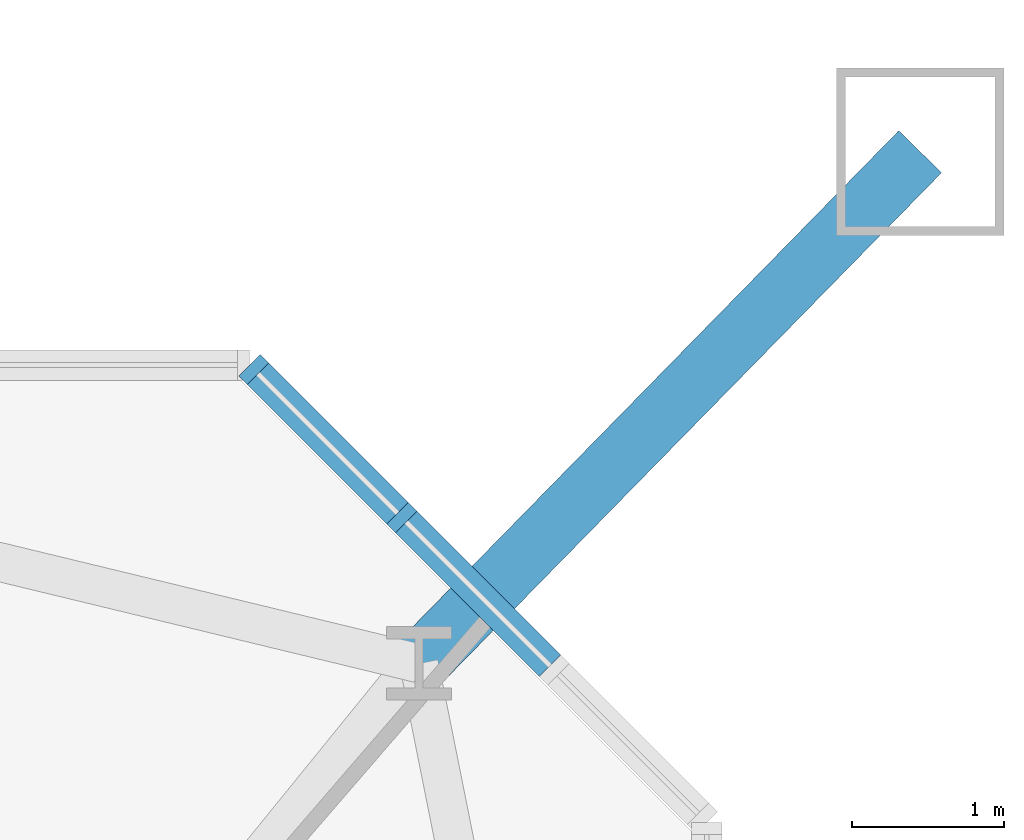
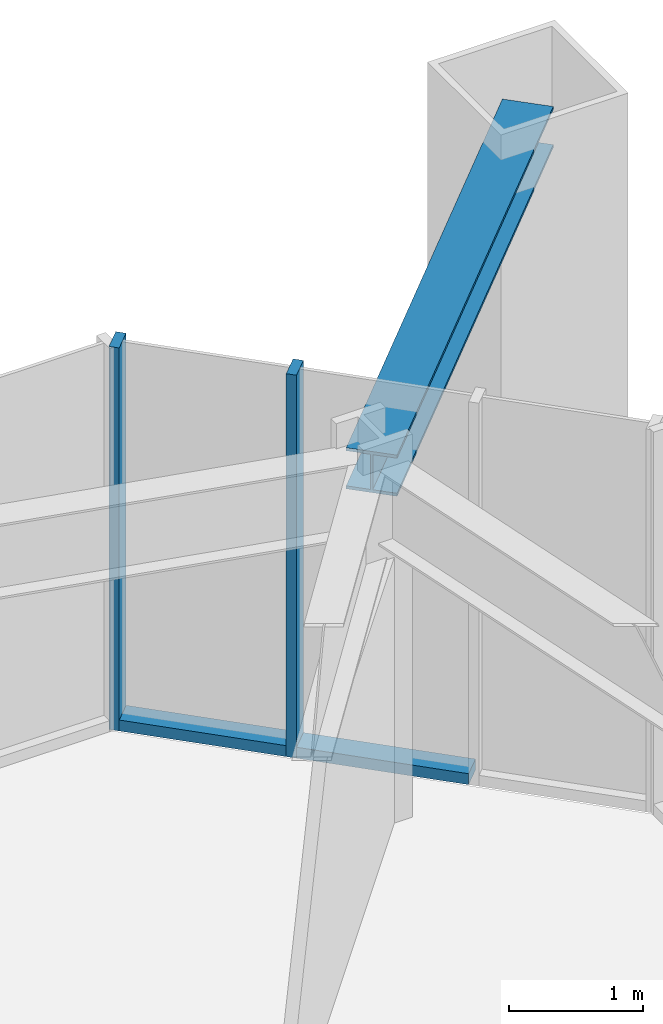
# One storey, part 10 of 25: 5 members, 1 element without a shape of its own.
"""IFC4 building model written with IfcOpenShell, lengths in metres."""

from ifc_helpers import new_model, si_unit, direction, frame, origin, origin_2d, place, context, subcontext, project, spatial, rectangle, i_section, extrude, material, material_profile, profile_set, type_object, element, aggregate, save


model = new_model("IFC4")

# Units and contexts
model_context = context("Model", 3, precision=1e-05, world=origin(), true_north=direction((0.0, 1.0)))
body_context = subcontext(model_context, "Body", "Model", "MODEL_VIEW")
ifc_project = project(units=[si_unit("LENGTHUNIT", "METRE"), si_unit("AREAUNIT", "SQUARE_METRE"), si_unit("VOLUMEUNIT", "CUBIC_METRE"), si_unit("PLANEANGLEUNIT", "RADIAN"), si_unit("MASSUNIT", "GRAM", prefix="KILO")], contexts=[model_context])

# Site, building, storey
site_placement = place(None, origin())
site = spatial("IfcSite", under=ifc_project, at=site_placement, CompositionType="ELEMENT")
building_placement = place(site_placement, origin())
building = spatial("IfcBuilding", under=site, at=building_placement, Name="Iwan Alto Co-Living Towers", CompositionType="ELEMENT")
storey_placement = place(building_placement, frame((0.0, 0.0, 119.0)))
storey = spatial("IfcBuildingStorey", under=building, at=storey_placement, Name="L32", CompositionType="ELEMENT", Elevation=119.0)

# Curtain wall, members
ifc_material_1 = material(Name="Bronze aluminium unitised frame", Category="aluminium")
curtain_wall_type = type_object("IfcCurtainWallType", Name="CURTAIN WALL CW-D", PredefinedType="NOTDEFINED", material=ifc_material_1)
curtain_wall_placement = place(storey_placement, origin())
curtain_wall = element("IfcCurtainWall", 1, at=curtain_wall_placement, inside=storey, type_object=curtain_wall_type, Name="T2 chamfer curtain wall NE L32", PredefinedType="NOTDEFINED")
ifc_material_2 = material(Name="Aluminium 6063-T6 bronze anodised", Category="aluminium")
ifc_material_profile_1 = material_profile(ifc_material_2, rectangle(XDim=0.199951171875, YDim=0.080078125, at=origin_2d()), Name="AL 80X200")
ifc_profile_set_1 = profile_set([ifc_material_profile_1], Name="Aluminium 6063-T6 bronze anodised")
member_type_1 = type_object("IfcMemberType", Name="CW-D MULLION 80X200", PredefinedType="MULLION", material=ifc_profile_set_1)
member_1_placement = place(storey_placement, frame((75.25, 15.5, 0.0), z_axis=(0.0, 0.0, 1.0), x_axis=(-0.707106781187, -0.707106781187, 0.0)))
member_1 = element("IfcMember", 2, at=member_1_placement, type_object=member_type_1, Name="CW-D mullion 3", PredefinedType="MULLION", context=body_context, shape_type="SweptSolid", body=[
    extrude(rectangle(XDim=0.199951171875, YDim=0.080078125, at=origin_2d()), origin(), (0.0, 0.0, 1.0), 3.5),
])
member_2_placement = place(storey_placement, frame((74.2783203125, 16.4716796875, 0.0), z_axis=(0.0, 0.0, 1.0), x_axis=(-0.707106781187, -0.707106781187, 0.0)))
member_2 = element("IfcMember", 3, at=member_2_placement, type_object=member_type_1, Name="CW-D mullion 4", PredefinedType="MULLION", context=body_context, shape_type="SweptSolid", body=[
    extrude(rectangle(XDim=0.199951171875, YDim=0.080078125, at=origin_2d()), origin(), (0.0, 0.0, 1.0), 3.5),
])
ifc_material_3 = material(Name="Aluminium 6063-T6 bronze anodised", Category="aluminium")
ifc_material_profile_2 = material_profile(ifc_material_3, rectangle(XDim=0.199951171875, YDim=0.10009765625, at=origin_2d()), Name="AL 200X100")
ifc_profile_set_2 = profile_set([ifc_material_profile_2], Name="Aluminium 6063-T6 bronze anodised")
member_type_2 = type_object("IfcMemberType", Name="CW-D TRANSOM 200X100", PredefinedType="USERDEFINED", material=ifc_profile_set_2)
member_3_placement = place(storey_placement, frame((76.2216796875, 14.5283203125, 0.050048828125), z_axis=(-0.707106781187, 0.707106781187, 0.0), x_axis=(-0.707106781187, -0.707106781187, 0.0)))
member_3 = element("IfcMember", 4, at=member_3_placement, type_object=member_type_2, Name="CW-D transom 2.1", ObjectType="TRANSOM", PredefinedType="USERDEFINED", context=body_context, shape_type="SweptSolid", body=[
    extrude(rectangle(XDim=0.199951171875, YDim=0.10009765625, at=origin_2d()), origin(), (0.0, 0.0, 1.0), 1.334228515625),
])
member_4_placement = place(storey_placement, frame((75.2216796875, 15.5283203125, 0.050048828125), z_axis=(-0.707106781187, 0.707106781187, 0.0), x_axis=(-0.707106781187, -0.707106781187, 0.0)))
member_4 = element("IfcMember", 5, at=member_4_placement, type_object=member_type_2, Name="CW-D transom 3.1", ObjectType="TRANSOM", PredefinedType="USERDEFINED", context=body_context, shape_type="SweptSolid", body=[
    extrude(rectangle(XDim=0.199951171875, YDim=0.10009765625, at=origin_2d()), origin(), (0.0, 0.0, 1.0), 1.2939453125),
])
aggregate(curtain_wall, [member_1, member_2, member_3, member_4])

# Member
ifc_material_4 = material(Name="Steel ASTM A992 Gr 50", Category="steel")
ifc_material_profile_3 = material_profile(ifc_material_4, i_section(OverallWidth=0.393798828125, OverallDepth=0.3759765625, WebThickness=0.017333984375, FlangeThickness=0.027587890625, at=origin_2d()), Name="W14X145")
ifc_profile_set_3 = profile_set([ifc_material_profile_3], Name="Steel ASTM A992 Gr 50")
member_type_3 = type_object("IfcMemberType", Name="T2 MEGA COLUMN FLOOR TIE W14X145", PredefinedType="STRUT", material=ifc_profile_set_3)
member_5_placement = place(storey_placement, frame((78.64990234375, 17.89990234375, 3.08203125), z_axis=(-0.699770096147, -0.714368121166, 0.0), x_axis=(0.714368121166, -0.699770096147, 0.0)))
element("IfcMember", 6, at=member_5_placement, inside=storey, type_object=member_type_3, Name="T2 mega column floor tie NE L33", PredefinedType="STRUT", context=body_context, shape_type="SweptSolid", body=[
    extrude(i_section(OverallWidth=0.393798828125, OverallDepth=0.3759765625, WebThickness=0.017333984375, FlangeThickness=0.027587890625, at=origin_2d()), origin(), (0.0, 0.0, 1.0), 4.699462890625),
])

save(model, "model.ifc")
